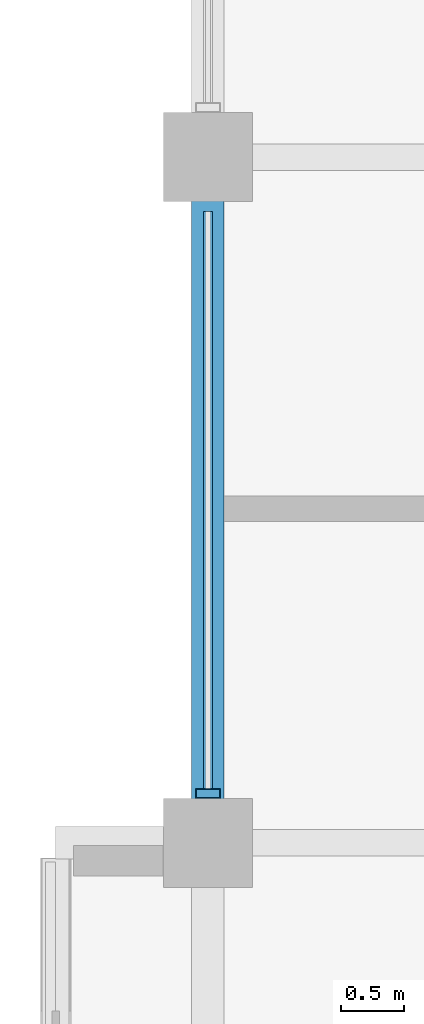
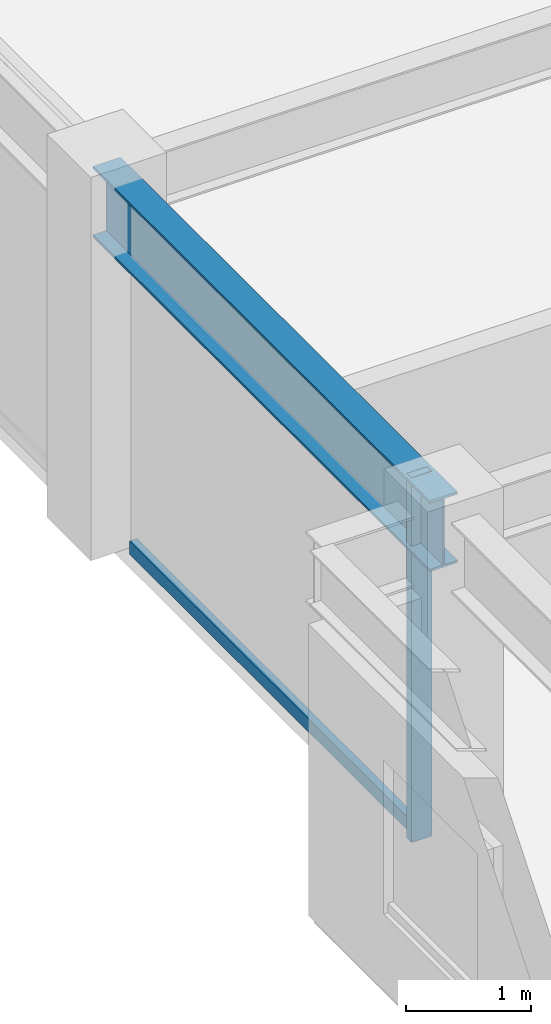
# One storey, part 8 of 30: 2 members, 1 beam, 1 element without a shape of its own.
"""IFC4 building model written with IfcOpenShell, lengths in metres."""

from ifc_helpers import new_model, si_unit, direction, frame, origin, origin_2d, place, context, subcontext, project, spatial, hollow_rectangle, i_section, extrude, material, layer, layer_set, material_profile, profile_set, type_object, element, aggregate, save


model = new_model("IFC4")

# Units and contexts
model_context = context("Model", 3, precision=1e-05, world=origin(), true_north=direction((0.0, 1.0)))
body_context = subcontext(model_context, "Body", "Model", "MODEL_VIEW")
ifc_project = project(units=[si_unit("LENGTHUNIT", "METRE"), si_unit("AREAUNIT", "SQUARE_METRE"), si_unit("VOLUMEUNIT", "CUBIC_METRE"), si_unit("PLANEANGLEUNIT", "RADIAN"), si_unit("MASSUNIT", "GRAM", prefix="KILO")], contexts=[model_context])

# Site, building, storey
site_placement = place(None, origin())
site = spatial("IfcSite", under=ifc_project, at=site_placement, CompositionType="ELEMENT")
building_placement = place(site_placement, origin())
building = spatial("IfcBuilding", under=site, at=building_placement, Name="Surkhivell Harbour Commons", CompositionType="ELEMENT")
storey_placement = place(building_placement, frame((0.0, 0.0, 303.75)))
storey = spatial("IfcBuildingStorey", under=building, at=storey_placement, Name="L79", CompositionType="ELEMENT", Elevation=303.75)

# Beam
ifc_material_1 = material(Name="Steel S355", Category="steel")
ifc_material_profile_1 = material_profile(ifc_material_1, i_section(OverallWidth=0.256103515625, OverallDepth=0.693115234375, WebThickness=0.014404296875, FlangeThickness=0.023681640625, at=origin_2d()), Name="UB686x254x170")
ifc_profile_set_1 = profile_set([ifc_material_profile_1], Name="Steel S355")
beam_type = type_object("IfcBeamType", Name="BM-SPN-686", PredefinedType="SPANDREL", material=ifc_profile_set_1)
beam_placement = place(storey_placement, frame((-27.0, 5.39990234375, 3.223388671875), z_axis=(0.0, 1.0, 0.0), x_axis=(-1.0, 0.0, 0.0)))
element("IfcBeam", 1, at=beam_placement, inside=storey, type_object=beam_type, Name="L79 Tube Spandrel (-27.0,5.4)", PredefinedType="SPANDREL", context=body_context, shape_type="SweptSolid", body=[
    extrude(i_section(OverallWidth=0.256103515625, OverallDepth=0.693115234375, WebThickness=0.014404296875, FlangeThickness=0.023681640625, at=origin_2d()), origin(), (0.0, 0.0, 1.0), 5.400146484375),
])

# Curtain wall, members
ifc_material_2 = material(Name="Anodised pale-metal aluminium and insulated glazing", Category="aluminium")
ifc_layer = layer(ifc_material_2, 0.175048828125)
ifc_layer_set = layer_set([ifc_layer], Name="Anodised pale-metal aluminium and insulated glazing")
curtain_wall_type = type_object("IfcCurtainWallType", Name="CW-SYS-Z4", PredefinedType="NOTDEFINED", material=ifc_layer_set)
curtain_wall_placement = place(storey_placement, origin())
curtain_wall = element("IfcCurtainWall", 2, at=curtain_wall_placement, inside=storey, type_object=curtain_wall_type, Name="L79 Curtain Wall CW-L79-E12R2", PredefinedType="NOTDEFINED")
ifc_material_3 = material(Name="Anodised pale-metal aluminium alloy 6063-T6", Category="aluminium")
ifc_material_profile_2 = material_profile(ifc_material_3, hollow_rectangle(XDim=0.074951171875, YDim=0.18994140625, WallThickness=0.00390625, at=origin_2d()), Name="ALU-MULL-75x190")
ifc_profile_set_2 = profile_set([ifc_material_profile_2], Name="Anodised pale-metal aluminium alloy 6063-T6")
member_type_1 = type_object("IfcMemberType", Name="CWM-190", PredefinedType="MULLION", material=ifc_profile_set_2)
member_1_placement = place(storey_placement, frame((-27.0, 5.78955078125, 0.0), z_axis=(0.0, 0.0, 1.0), x_axis=(0.0, 1.0, 0.0)))
member_1 = element("IfcMember", 3, at=member_1_placement, type_object=member_type_1, Name="CW-Z4 mullion 1", PredefinedType="MULLION", context=body_context, shape_type="SweptSolid", body=[
    extrude(hollow_rectangle(XDim=0.074951171875, YDim=0.18994140625, WallThickness=0.00390625, at=origin_2d()), origin(), (0.0, 0.0, 1.0), 3.570068359375),
])
ifc_material_4 = material(Name="Champagne anodised aluminium alloy 6063-T6", Category="aluminium")
ifc_material_profile_3 = material_profile(ifc_material_4, hollow_rectangle(XDim=0.070068359375, YDim=0.1298828125, WallThickness=0.00341796875, at=origin_2d()), Name="ALU-TRAN-70x130")
ifc_profile_set_3 = profile_set([ifc_material_profile_3], Name="Champagne anodised aluminium alloy 6063-T6")
member_type_2 = type_object("IfcMemberType", Name="CWT-130", PredefinedType="USERDEFINED", material=ifc_profile_set_3)
member_2_placement = place(storey_placement, frame((-27.0, 5.826904296875, 0.06494140625), z_axis=(0.0, 1.0, 0.0), x_axis=(-1.0, 0.0, 0.0)))
member_2 = element("IfcMember", 4, at=member_2_placement, type_object=member_type_2, Name="CW-Z4 transom 1.1", ObjectType="TRANSOM", PredefinedType="USERDEFINED", context=body_context, shape_type="SweptSolid", body=[
    extrude(hollow_rectangle(XDim=0.070068359375, YDim=0.1298828125, WallThickness=0.00341796875, at=origin_2d()), origin(), (0.0, 0.0, 1.0), 4.546142578125),
])
aggregate(curtain_wall, [member_1, member_2])

save(model, "model.ifc")
